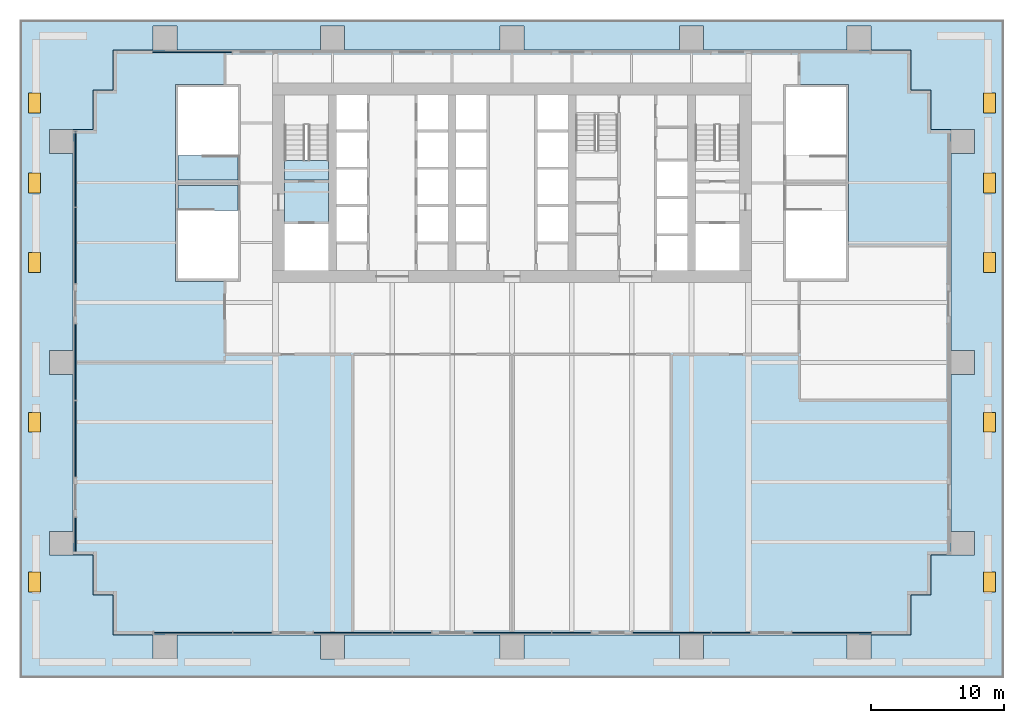
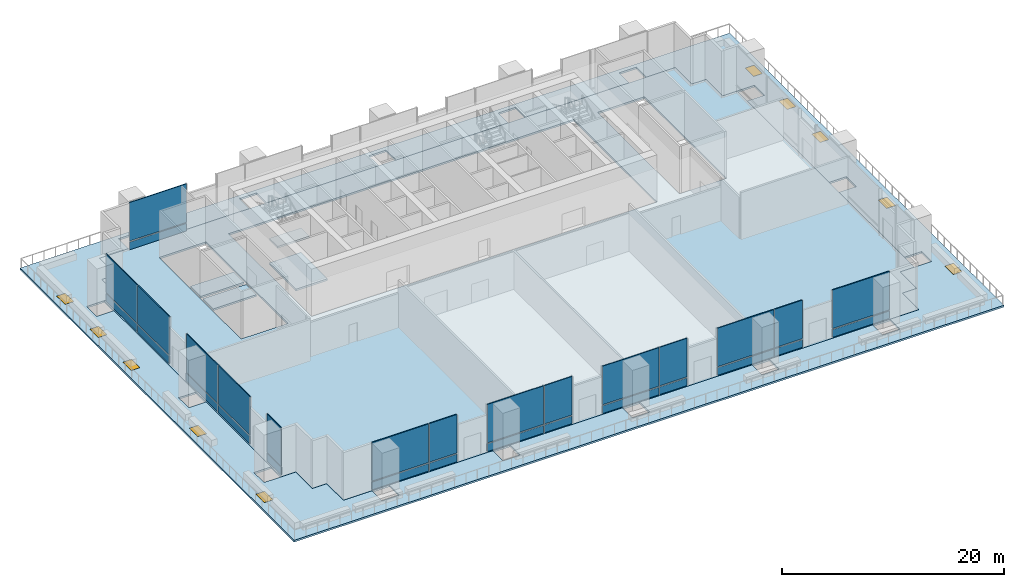
# One storey, part 6 of 16: 30 plates, 10 windows, 6 slabs, 10 openings, 10 elements without a shape of their own.
"""IFC4 building model written with IfcOpenShell, lengths in metres."""

from ifc_helpers import new_model, si_unit, direction, frame, origin, origin_2d, place, context, subcontext, project, spatial, polyline, rectangle, outline, extrude, material, layer, layer_set, type_object, element, fill, aggregate, save


model = new_model("IFC4")

# Units and contexts
model_context = context("Model", 3, precision=1e-05, world=origin(), true_north=direction((0.0, 1.0)))
body_context = subcontext(model_context, "Body", "Model", "MODEL_VIEW")
ifc_project = project(units=[si_unit("LENGTHUNIT", "METRE"), si_unit("AREAUNIT", "SQUARE_METRE"), si_unit("VOLUMEUNIT", "CUBIC_METRE"), si_unit("PLANEANGLEUNIT", "RADIAN"), si_unit("MASSUNIT", "GRAM", prefix="KILO")], contexts=[model_context])

# Site, building, storey
site_placement = place(None, origin())
site = spatial("IfcSite", under=ifc_project, at=site_placement, CompositionType="ELEMENT")
building_placement = place(site_placement, origin())
building = spatial("IfcBuilding", under=site, at=building_placement, Name="Rattan Terrace Tower", CompositionType="ELEMENT")
storey_placement = place(building_placement, frame((0.0, 0.0, 27.0)))
storey = spatial("IfcBuildingStorey", under=building, at=storey_placement, Name="L05", CompositionType="ELEMENT", Elevation=27.0)

# Stair, slab
ifc_material_1 = material(Name="Concrete C40/50", Category="concrete")
stair_type = type_object("IfcStairType", Name="Core exit stair 1500", PredefinedType="HALF_TURN_STAIR", material=ifc_material_1)
stair_placement = place(storey_placement, origin())
stair = element("IfcStair", 1, at=stair_placement, inside=storey, type_object=stair_type, Name="L05 exit stair 1", PredefinedType="HALF_TURN_STAIR")
ifc_material_2 = material(Name="Concrete C40/50", Category="concrete")
ifc_layer_1 = layer(ifc_material_2, 0.199951171875)
ifc_layer_set_1 = layer_set([ifc_layer_1], Name="Core exit stair landing")
slab_type_1 = type_object("IfcSlabType", Name="Core exit stair landing", PredefinedType="LANDING", material=ifc_layer_set_1)
slab_1_placement = place(storey_placement, frame((0.0, 0.0, 2.5)))
slab_1 = element("IfcSlab", 2, at=slab_1_placement, type_object=slab_type_1, Name="S1 landing 2", PredefinedType="LANDING", context=body_context, shape_type="SweptSolid", body=[
    extrude(outline(polyline([(-13.800048828125, 0.199951171875), (-13.800048828125, 1.699951171875), (-17.10009765625, 1.699951171875), (-17.10009765625, 0.199951171875), (-13.800048828125, 0.199951171875)])), origin(), (0.0, 0.0, 1.0), 0.199951171875),
])
aggregate(stair, [slab_1])

# Slabs
ifc_material_3 = material(Name="Concrete C35/45", Category="concrete")
ifc_layer_2 = layer(ifc_material_3, 0.199951171875)
ifc_layer_set_2 = layer_set([ifc_layer_2], Name="Frame composite floor slab 200")
slab_type_2 = type_object("IfcSlabType", Name="Frame composite floor slab 200", PredefinedType="FLOOR", material=ifc_layer_set_2)
slab_2_placement = place(storey_placement, frame((0.0, 0.0, -0.199951171875)))
element("IfcSlab", 3, at=slab_2_placement, inside=storey, type_object=slab_type_2, Name="Floor slab", PredefinedType="FLOOR", context=body_context, shape_type="SweptSolid", body=[
    extrude(outline(polyline([(-27.0, -34.0), (27.0, -34.0), (30.0, -34.0), (30.0, -31.0), (31.5, -31.0), (31.5, -28.0), (33.0, -28.0), (33.0, 4.0), (31.5, 4.0), (31.5, 7.0), (30.0, 7.0), (30.0, 10.0), (27.0, 10.0), (-27.0, 10.0), (-30.0, 10.0), (-30.0, 7.0), (-31.5, 7.0), (-31.5, 4.0), (-33.0, 4.0), (-33.0, -28.0), (-31.5, -28.0), (-31.5, -31.0), (-30.0, -31.0), (-30.0, -34.0), (-27.0, -34.0)]), holes=[polyline([(-25.10009765625, -7.39990234375), (-25.10009765625, -7.39990234375), (-20.60009765625, -7.39990234375), (-20.60009765625, -7.39990234375), (-20.39990234375, -7.39990234375), (-20.39990234375, 0.0), (-20.39990234375, 7.39990234375), (-20.60009765625, 7.39990234375), (-20.60009765625, 7.39990234375), (-25.10009765625, 7.39990234375), (-25.10009765625, 7.39990234375), (-25.300048828125, 7.39990234375), (-25.300048828125, 0.0), (-25.300048828125, -7.39990234375), (-25.10009765625, -7.39990234375)]), polyline([(18.0, -6.60009765625), (18.0, 6.60009765625), (18.0, 7.5), (-18.0, 7.5), (-18.0, 6.60009765625), (-18.0, -6.60009765625), (-18.0, -7.5), (18.0, -7.5), (18.0, -6.60009765625)]), polyline([(25.10009765625, -7.39990234375), (25.10009765625, -7.39990234375), (25.300048828125, -7.39990234375), (25.300048828125, 0.0), (25.300048828125, 7.39990234375), (25.10009765625, 7.39990234375), (25.10009765625, 7.39990234375), (20.60009765625, 7.39990234375), (20.60009765625, 7.39990234375), (20.39990234375, 7.39990234375), (20.39990234375, 0.0), (20.39990234375, -7.39990234375), (20.60009765625, -7.39990234375), (20.60009765625, -7.39990234375), (25.10009765625, -7.39990234375)])]), origin(), (0.0, 0.0, 1.0), 0.199951171875),
])
slab_3_placement = place(storey_placement, frame((0.0, 0.0, -0.199951171875)))
element("IfcSlab", 4, at=slab_3_placement, inside=storey, type_object=slab_type_2, Name="Floor slab", PredefinedType="FLOOR", context=body_context, shape_type="SweptSolid", body=[
    extrude(outline(polyline([(-25.10009765625, 0.199951171875), (-20.60009765625, 0.199951171875), (-20.60009765625, 2.06005859375), (-25.10009765625, 2.06005859375), (-25.10009765625, 0.199951171875)])), origin(), (0.0, 0.0, 1.0), 0.199951171875),
])
slab_4_placement = place(storey_placement, frame((0.0, 0.0, -0.199951171875)))
element("IfcSlab", 5, at=slab_4_placement, inside=storey, type_object=slab_type_2, Name="Floor slab", PredefinedType="FLOOR", context=body_context, shape_type="SweptSolid", body=[
    extrude(outline(polyline([(-20.60009765625, -2.06005859375), (-20.60009765625, -0.199951171875), (-25.10009765625, -0.199951171875), (-25.10009765625, -2.06005859375), (-20.60009765625, -2.06005859375)])), origin(), (0.0, 0.0, 1.0), 0.199951171875),
])
slab_5_placement = place(storey_placement, frame((0.0, 0.0, -0.199951171875)))
element("IfcSlab", 6, at=slab_5_placement, inside=storey, type_object=slab_type_2, Name="Floor slab", PredefinedType="FLOOR", context=body_context, shape_type="SweptSolid", body=[
    extrude(outline(polyline([(-17.10009765625, -3.10009765625), (-13.800048828125, -3.10009765625), (-13.800048828125, 1.7099609375), (-17.10009765625, 1.7099609375), (-17.10009765625, -3.10009765625)])), origin(), (0.0, 0.0, 1.0), 0.199951171875),
])

# Slab, openings, windows
ifc_material_4 = material(Name="Concrete C35/45", Category="concrete")
ifc_layer_3 = layer(ifc_material_4, 0.199951171875)
ifc_layer_set_3 = layer_set([ifc_layer_3], Name="Frame terrace slab 200")
slab_type_3 = type_object("IfcSlabType", Name="Frame terrace slab 200", PredefinedType="ROOF", material=ifc_layer_set_3)
slab_6_placement = place(storey_placement, frame((0.0, 0.0, -0.199951171875)))
slab_6 = element("IfcSlab", 7, at=slab_6_placement, inside=storey, type_object=slab_type_3, Name="Terrace slab", PredefinedType="ROOF", context=body_context, shape_type="SweptSolid", body=[
    extrude(outline(polyline([(-37.0, 12.25), (-37.0, -37.25), (37.0, -37.25), (37.0, 12.25), (-37.0, 12.25)]), holes=[polyline([(30.0, -34.0), (30.0, -31.0), (31.5, -31.0), (31.5, -28.0), (33.0, -28.0), (34.800048828125, -28.0), (34.800048828125, -26.199951171875), (33.0, -26.199951171875), (33.0, -14.39990234375), (34.800048828125, -14.39990234375), (34.800048828125, -12.60009765625), (33.0, -12.60009765625), (33.0, 2.199951171875), (34.800048828125, 2.199951171875), (34.800048828125, 4.0), (33.0, 4.0), (31.5, 4.0), (31.5, 7.0), (30.0, 7.0), (30.0, 10.0), (27.0, 10.0), (27.0, 11.800048828125), (25.199951171875, 11.800048828125), (25.199951171875, 10.0), (14.39990234375, 10.0), (14.39990234375, 11.800048828125), (12.60009765625, 11.800048828125), (12.60009765625, 10.0), (0.89990234375, 10.0), (0.89990234375, 11.800048828125), (-0.89990234375, 11.800048828125), (-0.89990234375, 10.0), (-12.60009765625, 10.0), (-12.60009765625, 11.800048828125), (-14.39990234375, 11.800048828125), (-14.39990234375, 10.0), (-25.199951171875, 10.0), (-25.199951171875, 11.800048828125), (-27.0, 11.800048828125), (-27.0, 10.0), (-30.0, 10.0), (-30.0, 7.0), (-31.5, 7.0), (-31.5, 4.0), (-33.0, 4.0), (-34.800048828125, 4.0), (-34.800048828125, 2.199951171875), (-33.0, 2.199951171875), (-33.0, -12.60009765625), (-34.800048828125, -12.60009765625), (-34.800048828125, -14.39990234375), (-33.0, -14.39990234375), (-33.0, -26.199951171875), (-34.800048828125, -26.199951171875), (-34.800048828125, -28.0), (-33.0, -28.0), (-31.5, -28.0), (-31.5, -31.0), (-30.0, -31.0), (-30.0, -34.0), (-27.0, -34.0), (-27.0, -35.800048828125), (-25.199951171875, -35.800048828125), (-25.199951171875, -34.0), (-14.39990234375, -34.0), (-14.39990234375, -35.800048828125), (-12.60009765625, -35.800048828125), (-12.60009765625, -34.0), (-0.89990234375, -34.0), (-0.89990234375, -35.800048828125), (0.89990234375, -35.800048828125), (0.89990234375, -34.0), (12.60009765625, -34.0), (12.60009765625, -35.800048828125), (14.39990234375, -35.800048828125), (14.39990234375, -34.0), (25.199951171875, -34.0), (25.199951171875, -35.800048828125), (27.0, -35.800048828125), (27.0, -34.0), (30.0, -34.0)])]), origin(), (0.0, 0.0, 1.0), 0.199951171875),
])
opening_1_placement = place(slab_6_placement, frame((-35.89990234375, -30.0, 0.0)))
opening_1 = element("IfcOpeningElement", 8, at=opening_1_placement, cuts=slab_6, Name="Opening SK1", PredefinedType="OPENING", context=body_context, shape_type="SweptSolid", body=[
    extrude(rectangle(XDim=0.89990234375, YDim=1.5, at=origin_2d()), origin(), (0.0, 0.0, 1.0), 0.199951171875),
])
opening_2_placement = place(slab_6_placement, frame((-35.89990234375, -18.0, 0.0)))
opening_2 = element("IfcOpeningElement", 9, at=opening_2_placement, cuts=slab_6, Name="Opening SK1", PredefinedType="OPENING", context=body_context, shape_type="SweptSolid", body=[
    extrude(rectangle(XDim=0.89990234375, YDim=1.5, at=origin_2d()), origin(), (0.0, 0.0, 1.0), 0.199951171875),
])
opening_3_placement = place(slab_6_placement, frame((-35.89990234375, -6.0, 0.0)))
opening_3 = element("IfcOpeningElement", 10, at=opening_3_placement, cuts=slab_6, Name="Opening SK1", PredefinedType="OPENING", context=body_context, shape_type="SweptSolid", body=[
    extrude(rectangle(XDim=0.89990234375, YDim=1.5, at=origin_2d()), origin(), (0.0, 0.0, 1.0), 0.199951171875),
])
opening_4_placement = place(slab_6_placement, frame((-35.89990234375, 0.0, 0.0)))
opening_4 = element("IfcOpeningElement", 11, at=opening_4_placement, cuts=slab_6, Name="Opening SK1", PredefinedType="OPENING", context=body_context, shape_type="SweptSolid", body=[
    extrude(rectangle(XDim=0.89990234375, YDim=1.5, at=origin_2d()), origin(), (0.0, 0.0, 1.0), 0.199951171875),
])
opening_5_placement = place(slab_6_placement, frame((-35.89990234375, 6.0, 0.0)))
opening_5 = element("IfcOpeningElement", 12, at=opening_5_placement, cuts=slab_6, Name="Opening SK1", PredefinedType="OPENING", context=body_context, shape_type="SweptSolid", body=[
    extrude(rectangle(XDim=0.89990234375, YDim=1.5, at=origin_2d()), origin(), (0.0, 0.0, 1.0), 0.199951171875),
])
opening_6_placement = place(slab_6_placement, frame((35.89990234375, -30.0, 0.0)))
opening_6 = element("IfcOpeningElement", 13, at=opening_6_placement, cuts=slab_6, Name="Opening SK1", PredefinedType="OPENING", context=body_context, shape_type="SweptSolid", body=[
    extrude(rectangle(XDim=0.89990234375, YDim=1.5, at=origin_2d()), origin(), (0.0, 0.0, 1.0), 0.199951171875),
])
opening_7_placement = place(slab_6_placement, frame((35.89990234375, -18.0, 0.0)))
opening_7 = element("IfcOpeningElement", 14, at=opening_7_placement, cuts=slab_6, Name="Opening SK1", PredefinedType="OPENING", context=body_context, shape_type="SweptSolid", body=[
    extrude(rectangle(XDim=0.89990234375, YDim=1.5, at=origin_2d()), origin(), (0.0, 0.0, 1.0), 0.199951171875),
])
opening_8_placement = place(slab_6_placement, frame((35.89990234375, -6.0, 0.0)))
opening_8 = element("IfcOpeningElement", 15, at=opening_8_placement, cuts=slab_6, Name="Opening SK1", PredefinedType="OPENING", context=body_context, shape_type="SweptSolid", body=[
    extrude(rectangle(XDim=0.89990234375, YDim=1.5, at=origin_2d()), origin(), (0.0, 0.0, 1.0), 0.199951171875),
])
opening_9_placement = place(slab_6_placement, frame((35.89990234375, 0.0, 0.0)))
opening_9 = element("IfcOpeningElement", 16, at=opening_9_placement, cuts=slab_6, Name="Opening SK1", PredefinedType="OPENING", context=body_context, shape_type="SweptSolid", body=[
    extrude(rectangle(XDim=0.89990234375, YDim=1.5, at=origin_2d()), origin(), (0.0, 0.0, 1.0), 0.199951171875),
])
opening_10_placement = place(slab_6_placement, frame((35.89990234375, 6.0, 0.0)))
opening_10 = element("IfcOpeningElement", 17, at=opening_10_placement, cuts=slab_6, Name="Opening SK1", PredefinedType="OPENING", context=body_context, shape_type="SweptSolid", body=[
    extrude(rectangle(XDim=0.89990234375, YDim=1.5, at=origin_2d()), origin(), (0.0, 0.0, 1.0), 0.199951171875),
])
ifc_material_5 = material(Name="Laminated structural glass, walk-on, with steel frame", Category="steel")
window_type = type_object("IfcWindowType", Name="Podium Walk-on Rooflight 900x1500", PartitioningType="SINGLE_PANEL", PredefinedType="SKYLIGHT", material=ifc_material_5)
window_1_placement = place(opening_1_placement, frame((0.0, 0.0, 0.14990234375)))
window_1 = element("IfcWindow", 18, at=window_1_placement, inside=storey, type_object=window_type, Name="Podium rooflight 1", OverallHeight=1.5, OverallWidth=0.89990234375, PartitioningType="SINGLE_PANEL", PredefinedType="SKYLIGHT", context=body_context, shape_type="SweptSolid", body=[
    extrude(rectangle(XDim=0.89990234375, YDim=1.5, at=origin_2d()), origin(), (0.0, 0.0, 1.0), 0.050048828125),
])
fill(opening_1, window_1)
window_2_placement = place(opening_2_placement, frame((0.0, 0.0, 0.14990234375)))
window_2 = element("IfcWindow", 19, at=window_2_placement, inside=storey, type_object=window_type, Name="Podium rooflight 2", OverallHeight=1.5, OverallWidth=0.89990234375, PartitioningType="SINGLE_PANEL", PredefinedType="SKYLIGHT", context=body_context, shape_type="SweptSolid", body=[
    extrude(rectangle(XDim=0.89990234375, YDim=1.5, at=origin_2d()), origin(), (0.0, 0.0, 1.0), 0.050048828125),
])
fill(opening_2, window_2)
window_3_placement = place(opening_3_placement, frame((0.0, 0.0, 0.14990234375)))
window_3 = element("IfcWindow", 20, at=window_3_placement, inside=storey, type_object=window_type, Name="Podium rooflight 3", OverallHeight=1.5, OverallWidth=0.89990234375, PartitioningType="SINGLE_PANEL", PredefinedType="SKYLIGHT", context=body_context, shape_type="SweptSolid", body=[
    extrude(rectangle(XDim=0.89990234375, YDim=1.5, at=origin_2d()), origin(), (0.0, 0.0, 1.0), 0.050048828125),
])
fill(opening_3, window_3)
window_4_placement = place(opening_4_placement, frame((0.0, 0.0, 0.14990234375)))
window_4 = element("IfcWindow", 21, at=window_4_placement, inside=storey, type_object=window_type, Name="Podium rooflight 4", OverallHeight=1.5, OverallWidth=0.89990234375, PartitioningType="SINGLE_PANEL", PredefinedType="SKYLIGHT", context=body_context, shape_type="SweptSolid", body=[
    extrude(rectangle(XDim=0.89990234375, YDim=1.5, at=origin_2d()), origin(), (0.0, 0.0, 1.0), 0.050048828125),
])
fill(opening_4, window_4)
window_5_placement = place(opening_5_placement, frame((0.0, 0.0, 0.14990234375)))
window_5 = element("IfcWindow", 22, at=window_5_placement, inside=storey, type_object=window_type, Name="Podium rooflight 5", OverallHeight=1.5, OverallWidth=0.89990234375, PartitioningType="SINGLE_PANEL", PredefinedType="SKYLIGHT", context=body_context, shape_type="SweptSolid", body=[
    extrude(rectangle(XDim=0.89990234375, YDim=1.5, at=origin_2d()), origin(), (0.0, 0.0, 1.0), 0.050048828125),
])
fill(opening_5, window_5)
window_6_placement = place(opening_6_placement, frame((0.0, 0.0, 0.14990234375)))
window_6 = element("IfcWindow", 23, at=window_6_placement, inside=storey, type_object=window_type, Name="Podium rooflight 6", OverallHeight=1.5, OverallWidth=0.89990234375, PartitioningType="SINGLE_PANEL", PredefinedType="SKYLIGHT", context=body_context, shape_type="SweptSolid", body=[
    extrude(rectangle(XDim=0.89990234375, YDim=1.5, at=origin_2d()), origin(), (0.0, 0.0, 1.0), 0.050048828125),
])
fill(opening_6, window_6)
window_7_placement = place(opening_7_placement, frame((0.0, 0.0, 0.14990234375)))
window_7 = element("IfcWindow", 24, at=window_7_placement, inside=storey, type_object=window_type, Name="Podium rooflight 7", OverallHeight=1.5, OverallWidth=0.89990234375, PartitioningType="SINGLE_PANEL", PredefinedType="SKYLIGHT", context=body_context, shape_type="SweptSolid", body=[
    extrude(rectangle(XDim=0.89990234375, YDim=1.5, at=origin_2d()), origin(), (0.0, 0.0, 1.0), 0.050048828125),
])
fill(opening_7, window_7)
window_8_placement = place(opening_8_placement, frame((0.0, 0.0, 0.14990234375)))
window_8 = element("IfcWindow", 25, at=window_8_placement, inside=storey, type_object=window_type, Name="Podium rooflight 8", OverallHeight=1.5, OverallWidth=0.89990234375, PartitioningType="SINGLE_PANEL", PredefinedType="SKYLIGHT", context=body_context, shape_type="SweptSolid", body=[
    extrude(rectangle(XDim=0.89990234375, YDim=1.5, at=origin_2d()), origin(), (0.0, 0.0, 1.0), 0.050048828125),
])
fill(opening_8, window_8)
window_9_placement = place(opening_9_placement, frame((0.0, 0.0, 0.14990234375)))
window_9 = element("IfcWindow", 26, at=window_9_placement, inside=storey, type_object=window_type, Name="Podium rooflight 9", OverallHeight=1.5, OverallWidth=0.89990234375, PartitioningType="SINGLE_PANEL", PredefinedType="SKYLIGHT", context=body_context, shape_type="SweptSolid", body=[
    extrude(rectangle(XDim=0.89990234375, YDim=1.5, at=origin_2d()), origin(), (0.0, 0.0, 1.0), 0.050048828125),
])
fill(opening_9, window_9)
window_10_placement = place(opening_10_placement, frame((0.0, 0.0, 0.14990234375)))
window_10 = element("IfcWindow", 27, at=window_10_placement, inside=storey, type_object=window_type, Name="Podium rooflight 10", OverallHeight=1.5, OverallWidth=0.89990234375, PartitioningType="SINGLE_PANEL", PredefinedType="SKYLIGHT", context=body_context, shape_type="SweptSolid", body=[
    extrude(rectangle(XDim=0.89990234375, YDim=1.5, at=origin_2d()), origin(), (0.0, 0.0, 1.0), 0.050048828125),
])
fill(opening_10, window_10)

# Curtain wall, plate
ifc_material_6 = material(Name="Steel fins, aluminium and glass", Category="steel")
ifc_layer_4 = layer(ifc_material_6, 0.300048828125)
ifc_layer_set_4 = layer_set([ifc_layer_4], Name="Sky Lobby Stick Curtain Wall")
curtain_wall_type = type_object("IfcCurtainWallType", Name="Sky Lobby Stick Curtain Wall", PredefinedType="NOTDEFINED", material=ifc_layer_set_4)
curtain_wall_1_placement = place(storey_placement, origin())
curtain_wall_1 = element("IfcCurtainWall", 28, at=curtain_wall_1_placement, inside=storey, type_object=curtain_wall_type, Name="Sky lobby curtain wall L05-8", PredefinedType="NOTDEFINED")
ifc_material_7 = material(Name="Insulated aluminium spandrel panel", Category="aluminium")
ifc_layer_5 = layer(ifc_material_7, 0.10009765625)
ifc_layer_set_5 = layer_set([ifc_layer_5], Name="Sky Lobby CW Insulated Panel")
plate_type_1 = type_object("IfcPlateType", Name="Sky Lobby CW Insulated Panel", PredefinedType="CURTAIN_PANEL", material=ifc_layer_set_5)
plate_1_placement = place(storey_placement, frame((-24.0400390625, 9.830078125, 0.0), z_axis=(0.0, 0.0, 1.0), x_axis=(-1.0, 0.0, 0.0)))
plate_1 = element("IfcPlate", 29, at=plate_1_placement, type_object=plate_type_1, Name="Panel cwl-L05-008.1.1", PredefinedType="CURTAIN_PANEL", context=body_context, shape_type="SweptSolid", body=[
    extrude(rectangle(XDim=5.919921875, YDim=0.10009765625, at=origin_2d()), origin(), (0.0, 0.0, 1.0), 0.840087890625),
])

# Curtain wall, plates
curtain_wall_2_placement = place(storey_placement, origin())
curtain_wall_2 = element("IfcCurtainWall", 30, at=curtain_wall_2_placement, inside=storey, type_object=curtain_wall_type, Name="Sky lobby curtain wall L05-9", PredefinedType="NOTDEFINED")
plate_2_placement = place(storey_placement, frame((-32.830078125, 1.048583984375, 0.0), z_axis=(0.0, 0.0, 1.0), x_axis=(0.0, -1.0, 0.0)))
plate_2 = element("IfcPlate", 31, at=plate_2_placement, type_object=plate_type_1, Name="Panel cwl-L05-009.1.1", PredefinedType="CURTAIN_PANEL", context=body_context, shape_type="SweptSolid", body=[
    extrude(rectangle(XDim=5.653076171875, YDim=0.10009765625, at=origin_2d()), origin(), (0.0, 0.0, 1.0), 0.840087890625),
])
plate_3_placement = place(storey_placement, frame((-32.830078125, -4.70703125, 0.0), z_axis=(0.0, 0.0, 1.0), x_axis=(0.0, -1.0, 0.0)))
plate_3 = element("IfcPlate", 32, at=plate_3_placement, type_object=plate_type_1, Name="Panel cwl-L05-009.2.1", PredefinedType="CURTAIN_PANEL", context=body_context, shape_type="SweptSolid", body=[
    extrude(rectangle(XDim=5.697998046875, YDim=0.10009765625, at=origin_2d()), origin(), (0.0, 0.0, 1.0), 0.840087890625),
])

curtain_wall_3_placement = place(storey_placement, origin())
curtain_wall_3 = element("IfcCurtainWall", 33, at=curtain_wall_3_placement, inside=storey, type_object=curtain_wall_type, Name="Sky lobby curtain wall L05-10", PredefinedType="NOTDEFINED")
plate_4_placement = place(storey_placement, frame((-32.830078125, -13.47412109375, 0.0), z_axis=(0.0, 0.0, 1.0), x_axis=(0.0, -1.0, 0.0)))
plate_4 = element("IfcPlate", 34, at=plate_4_placement, type_object=plate_type_1, Name="Panel cwl-L05-010.1.1", PredefinedType="CURTAIN_PANEL", context=body_context, shape_type="SweptSolid", body=[
    extrude(rectangle(XDim=5.697998046875, YDim=0.10009765625, at=origin_2d()), origin(), (0.0, 0.0, 1.0), 0.840087890625),
])
plate_5_placement = place(storey_placement, frame((-32.830078125, -19.251953125, 0.0), z_axis=(0.0, 0.0, 1.0), x_axis=(0.0, -1.0, 0.0)))
plate_5 = element("IfcPlate", 35, at=plate_5_placement, type_object=plate_type_1, Name="Panel cwl-L05-010.2.1", PredefinedType="CURTAIN_PANEL", context=body_context, shape_type="SweptSolid", body=[
    extrude(rectangle(XDim=5.697998046875, YDim=0.10009765625, at=origin_2d()), origin(), (0.0, 0.0, 1.0), 0.840087890625),
])

# Curtain wall, plate
curtain_wall_4_placement = place(storey_placement, origin())
curtain_wall_4 = element("IfcCurtainWall", 36, at=curtain_wall_4_placement, inside=storey, type_object=curtain_wall_type, Name="Sky lobby curtain wall L05-11", PredefinedType="NOTDEFINED")
plate_6_placement = place(storey_placement, frame((-32.830078125, -26.4375, 0.0), z_axis=(0.0, 0.0, 1.0), x_axis=(0.0, -1.0, 0.0)))
plate_6 = element("IfcPlate", 37, at=plate_6_placement, type_object=plate_type_1, Name="Panel cwl-L05-011.1.1", PredefinedType="CURTAIN_PANEL", context=body_context, shape_type="SweptSolid", body=[
    extrude(rectangle(XDim=2.534912109375, YDim=0.10009765625, at=origin_2d()), origin(), (0.0, 0.0, 1.0), 0.840087890625),
])

# Curtain wall, plates
curtain_wall_5_placement = place(storey_placement, origin())
curtain_wall_5 = element("IfcCurtainWall", 38, at=curtain_wall_5_placement, inside=storey, type_object=curtain_wall_type, Name="Sky lobby curtain wall L05-12", PredefinedType="NOTDEFINED")
plate_7_placement = place(storey_placement, frame((-23.97998046875, -33.830078125, 0.0), z_axis=(0.0, 0.0, 1.0), x_axis=(1.0, 0.0, 0.0)))
plate_7 = element("IfcPlate", 39, at=plate_7_placement, type_object=plate_type_1, Name="Panel cwl-L05-012.1.1", PredefinedType="CURTAIN_PANEL", context=body_context, shape_type="SweptSolid", body=[
    extrude(rectangle(XDim=5.8798828125, YDim=0.10009765625, at=origin_2d()), origin(), (0.0, 0.0, 1.0), 0.840087890625),
])
plate_8_placement = place(storey_placement, frame((-19.52001953125, -33.830078125, 0.0), z_axis=(0.0, 0.0, 1.0), x_axis=(1.0, 0.0, 0.0)))
plate_8 = element("IfcPlate", 40, at=plate_8_placement, type_object=plate_type_1, Name="Panel cwl-L05-012.2.1", PredefinedType="CURTAIN_PANEL", context=body_context, shape_type="SweptSolid", body=[
    extrude(rectangle(XDim=2.8798828125, YDim=0.10009765625, at=origin_2d()), origin(), (0.0, 0.0, 1.0), 0.840087890625),
])

curtain_wall_6_placement = place(storey_placement, origin())
curtain_wall_6 = element("IfcCurtainWall", 41, at=curtain_wall_6_placement, inside=storey, type_object=curtain_wall_type, Name="Sky lobby curtain wall L05-13", PredefinedType="NOTDEFINED")
plate_9_placement = place(storey_placement, frame((-11.97998046875, -33.830078125, 0.0), z_axis=(0.0, 0.0, 1.0), x_axis=(1.0, 0.0, 0.0)))
plate_9 = element("IfcPlate", 42, at=plate_9_placement, type_object=plate_type_1, Name="Panel cwl-L05-013.1.1", PredefinedType="CURTAIN_PANEL", context=body_context, shape_type="SweptSolid", body=[
    extrude(rectangle(XDim=5.8798828125, YDim=0.10009765625, at=origin_2d()), origin(), (0.0, 0.0, 1.0), 0.840087890625),
])
plate_10_placement = place(storey_placement, frame((-7.52001953125, -33.830078125, 0.0), z_axis=(0.0, 0.0, 1.0), x_axis=(1.0, 0.0, 0.0)))
plate_10 = element("IfcPlate", 43, at=plate_10_placement, type_object=plate_type_1, Name="Panel cwl-L05-013.2.1", PredefinedType="CURTAIN_PANEL", context=body_context, shape_type="SweptSolid", body=[
    extrude(rectangle(XDim=2.8798828125, YDim=0.10009765625, at=origin_2d()), origin(), (0.0, 0.0, 1.0), 0.840087890625),
])

curtain_wall_7_placement = place(storey_placement, origin())
curtain_wall_7 = element("IfcCurtainWall", 44, at=curtain_wall_7_placement, inside=storey, type_object=curtain_wall_type, Name="Sky lobby curtain wall L05-14", PredefinedType="NOTDEFINED")
plate_11_placement = place(storey_placement, frame((0.02001953125, -33.830078125, 0.0), z_axis=(0.0, 0.0, 1.0), x_axis=(1.0, 0.0, 0.0)))
plate_11 = element("IfcPlate", 45, at=plate_11_placement, type_object=plate_type_1, Name="Panel cwl-L05-014.1.1", PredefinedType="CURTAIN_PANEL", context=body_context, shape_type="SweptSolid", body=[
    extrude(rectangle(XDim=5.8798828125, YDim=0.10009765625, at=origin_2d()), origin(), (0.0, 0.0, 1.0), 0.840087890625),
])
plate_12_placement = place(storey_placement, frame((4.47998046875, -33.830078125, 0.0), z_axis=(0.0, 0.0, 1.0), x_axis=(1.0, 0.0, 0.0)))
plate_12 = element("IfcPlate", 46, at=plate_12_placement, type_object=plate_type_1, Name="Panel cwl-L05-014.2.1", PredefinedType="CURTAIN_PANEL", context=body_context, shape_type="SweptSolid", body=[
    extrude(rectangle(XDim=2.8798828125, YDim=0.10009765625, at=origin_2d()), origin(), (0.0, 0.0, 1.0), 0.840087890625),
])

curtain_wall_8_placement = place(storey_placement, origin())
curtain_wall_8 = element("IfcCurtainWall", 47, at=curtain_wall_8_placement, inside=storey, type_object=curtain_wall_type, Name="Sky lobby curtain wall L05-15", PredefinedType="NOTDEFINED")
plate_13_placement = place(storey_placement, frame((12.02001953125, -33.830078125, 0.0), z_axis=(0.0, 0.0, 1.0), x_axis=(1.0, 0.0, 0.0)))
plate_13 = element("IfcPlate", 48, at=plate_13_placement, type_object=plate_type_1, Name="Panel cwl-L05-015.1.1", PredefinedType="CURTAIN_PANEL", context=body_context, shape_type="SweptSolid", body=[
    extrude(rectangle(XDim=5.8798828125, YDim=0.10009765625, at=origin_2d()), origin(), (0.0, 0.0, 1.0), 0.840087890625),
])
plate_14_placement = place(storey_placement, frame((16.47998046875, -33.830078125, 0.0), z_axis=(0.0, 0.0, 1.0), x_axis=(1.0, 0.0, 0.0)))
plate_14 = element("IfcPlate", 49, at=plate_14_placement, type_object=plate_type_1, Name="Panel cwl-L05-015.2.1", PredefinedType="CURTAIN_PANEL", context=body_context, shape_type="SweptSolid", body=[
    extrude(rectangle(XDim=2.8798828125, YDim=0.10009765625, at=origin_2d()), origin(), (0.0, 0.0, 1.0), 0.840087890625),
])

# Curtain wall, plate
curtain_wall_9_placement = place(storey_placement, origin())
curtain_wall_9 = element("IfcCurtainWall", 50, at=curtain_wall_9_placement, inside=storey, type_object=curtain_wall_type, Name="Sky lobby curtain wall L05-16", PredefinedType="NOTDEFINED")
plate_15_placement = place(storey_placement, frame((24.0400390625, -33.830078125, 0.0), z_axis=(0.0, 0.0, 1.0), x_axis=(1.0, 0.0, 0.0)))
plate_15 = element("IfcPlate", 51, at=plate_15_placement, type_object=plate_type_1, Name="Panel cwl-L05-016.1.1", PredefinedType="CURTAIN_PANEL", context=body_context, shape_type="SweptSolid", body=[
    extrude(rectangle(XDim=5.919921875, YDim=0.10009765625, at=origin_2d()), origin(), (0.0, 0.0, 1.0), 0.840087890625),
])

# Plate
ifc_material_8 = material(Name="Laminated low-iron glass", Category="glass")
ifc_layer_6 = layer(ifc_material_8, 0.090087890625)
ifc_layer_set_6 = layer_set([ifc_layer_6], Name="Sky Lobby CW Vision Panel")
plate_type_2 = type_object("IfcPlateType", Name="Sky Lobby CW Vision Panel", PredefinedType="CURTAIN_PANEL", material=ifc_layer_set_6)
plate_16_placement = place(storey_placement, frame((-24.0400390625, 9.830078125, 0.9599609375), z_axis=(0.0, 0.0, 1.0), x_axis=(-1.0, 0.0, 0.0)))
plate_16 = element("IfcPlate", 52, at=plate_16_placement, type_object=plate_type_2, Name="Panel cwl-L05-008.1.2", PredefinedType="CURTAIN_PANEL", context=body_context, shape_type="SweptSolid", body=[
    extrude(rectangle(XDim=5.919921875, YDim=0.090087890625, at=origin_2d()), origin(), (0.0, 0.0, 1.0), 4.239990234375),
])

aggregate(curtain_wall_1, [plate_1, plate_16])

plate_17_placement = place(storey_placement, frame((-32.830078125, 1.048583984375, 0.9599609375), z_axis=(0.0, 0.0, 1.0), x_axis=(0.0, -1.0, 0.0)))
plate_17 = element("IfcPlate", 53, at=plate_17_placement, type_object=plate_type_2, Name="Panel cwl-L05-009.1.2", PredefinedType="CURTAIN_PANEL", context=body_context, shape_type="SweptSolid", body=[
    extrude(rectangle(XDim=5.653076171875, YDim=0.090087890625, at=origin_2d()), origin(), (0.0, 0.0, 1.0), 4.239990234375),
])

plate_18_placement = place(storey_placement, frame((-32.830078125, -4.70703125, 0.9599609375), z_axis=(0.0, 0.0, 1.0), x_axis=(0.0, -1.0, 0.0)))
plate_18 = element("IfcPlate", 54, at=plate_18_placement, type_object=plate_type_2, Name="Panel cwl-L05-009.2.2", PredefinedType="CURTAIN_PANEL", context=body_context, shape_type="SweptSolid", body=[
    extrude(rectangle(XDim=5.697998046875, YDim=0.090087890625, at=origin_2d()), origin(), (0.0, 0.0, 1.0), 4.239990234375),
])

aggregate(curtain_wall_2, [plate_2, plate_17, plate_3, plate_18])

plate_19_placement = place(storey_placement, frame((-32.830078125, -13.47412109375, 0.9599609375), z_axis=(0.0, 0.0, 1.0), x_axis=(0.0, -1.0, 0.0)))
plate_19 = element("IfcPlate", 55, at=plate_19_placement, type_object=plate_type_2, Name="Panel cwl-L05-010.1.2", PredefinedType="CURTAIN_PANEL", context=body_context, shape_type="SweptSolid", body=[
    extrude(rectangle(XDim=5.697998046875, YDim=0.090087890625, at=origin_2d()), origin(), (0.0, 0.0, 1.0), 4.239990234375),
])

plate_20_placement = place(storey_placement, frame((-32.830078125, -19.251953125, 0.9599609375), z_axis=(0.0, 0.0, 1.0), x_axis=(0.0, -1.0, 0.0)))
plate_20 = element("IfcPlate", 56, at=plate_20_placement, type_object=plate_type_2, Name="Panel cwl-L05-010.2.2", PredefinedType="CURTAIN_PANEL", context=body_context, shape_type="SweptSolid", body=[
    extrude(rectangle(XDim=5.697998046875, YDim=0.090087890625, at=origin_2d()), origin(), (0.0, 0.0, 1.0), 4.239990234375),
])

aggregate(curtain_wall_3, [plate_4, plate_19, plate_5, plate_20])

plate_21_placement = place(storey_placement, frame((-32.830078125, -26.4375, 0.9599609375), z_axis=(0.0, 0.0, 1.0), x_axis=(0.0, -1.0, 0.0)))
plate_21 = element("IfcPlate", 57, at=plate_21_placement, type_object=plate_type_2, Name="Panel cwl-L05-011.1.2", PredefinedType="CURTAIN_PANEL", context=body_context, shape_type="SweptSolid", body=[
    extrude(rectangle(XDim=2.534912109375, YDim=0.090087890625, at=origin_2d()), origin(), (0.0, 0.0, 1.0), 4.239990234375),
])

aggregate(curtain_wall_4, [plate_6, plate_21])

plate_22_placement = place(storey_placement, frame((-23.97998046875, -33.830078125, 0.9599609375), z_axis=(0.0, 0.0, 1.0), x_axis=(1.0, 0.0, 0.0)))
plate_22 = element("IfcPlate", 58, at=plate_22_placement, type_object=plate_type_2, Name="Panel cwl-L05-012.1.2", PredefinedType="CURTAIN_PANEL", context=body_context, shape_type="SweptSolid", body=[
    extrude(rectangle(XDim=5.8798828125, YDim=0.090087890625, at=origin_2d()), origin(), (0.0, 0.0, 1.0), 4.239990234375),
])

plate_23_placement = place(storey_placement, frame((-19.52001953125, -33.830078125, 0.9599609375), z_axis=(0.0, 0.0, 1.0), x_axis=(1.0, 0.0, 0.0)))
plate_23 = element("IfcPlate", 59, at=plate_23_placement, type_object=plate_type_2, Name="Panel cwl-L05-012.2.2", PredefinedType="CURTAIN_PANEL", context=body_context, shape_type="SweptSolid", body=[
    extrude(rectangle(XDim=2.8798828125, YDim=0.090087890625, at=origin_2d()), origin(), (0.0, 0.0, 1.0), 4.239990234375),
])

aggregate(curtain_wall_5, [plate_7, plate_22, plate_8, plate_23])

plate_24_placement = place(storey_placement, frame((-11.97998046875, -33.830078125, 0.9599609375), z_axis=(0.0, 0.0, 1.0), x_axis=(1.0, 0.0, 0.0)))
plate_24 = element("IfcPlate", 60, at=plate_24_placement, type_object=plate_type_2, Name="Panel cwl-L05-013.1.2", PredefinedType="CURTAIN_PANEL", context=body_context, shape_type="SweptSolid", body=[
    extrude(rectangle(XDim=5.8798828125, YDim=0.090087890625, at=origin_2d()), origin(), (0.0, 0.0, 1.0), 4.239990234375),
])

plate_25_placement = place(storey_placement, frame((-7.52001953125, -33.830078125, 0.9599609375), z_axis=(0.0, 0.0, 1.0), x_axis=(1.0, 0.0, 0.0)))
plate_25 = element("IfcPlate", 61, at=plate_25_placement, type_object=plate_type_2, Name="Panel cwl-L05-013.2.2", PredefinedType="CURTAIN_PANEL", context=body_context, shape_type="SweptSolid", body=[
    extrude(rectangle(XDim=2.8798828125, YDim=0.090087890625, at=origin_2d()), origin(), (0.0, 0.0, 1.0), 4.239990234375),
])

aggregate(curtain_wall_6, [plate_9, plate_24, plate_10, plate_25])

plate_26_placement = place(storey_placement, frame((0.02001953125, -33.830078125, 0.9599609375), z_axis=(0.0, 0.0, 1.0), x_axis=(1.0, 0.0, 0.0)))
plate_26 = element("IfcPlate", 62, at=plate_26_placement, type_object=plate_type_2, Name="Panel cwl-L05-014.1.2", PredefinedType="CURTAIN_PANEL", context=body_context, shape_type="SweptSolid", body=[
    extrude(rectangle(XDim=5.8798828125, YDim=0.090087890625, at=origin_2d()), origin(), (0.0, 0.0, 1.0), 4.239990234375),
])

plate_27_placement = place(storey_placement, frame((4.47998046875, -33.830078125, 0.9599609375), z_axis=(0.0, 0.0, 1.0), x_axis=(1.0, 0.0, 0.0)))
plate_27 = element("IfcPlate", 63, at=plate_27_placement, type_object=plate_type_2, Name="Panel cwl-L05-014.2.2", PredefinedType="CURTAIN_PANEL", context=body_context, shape_type="SweptSolid", body=[
    extrude(rectangle(XDim=2.8798828125, YDim=0.090087890625, at=origin_2d()), origin(), (0.0, 0.0, 1.0), 4.239990234375),
])

aggregate(curtain_wall_7, [plate_11, plate_26, plate_12, plate_27])

plate_28_placement = place(storey_placement, frame((12.02001953125, -33.830078125, 0.9599609375), z_axis=(0.0, 0.0, 1.0), x_axis=(1.0, 0.0, 0.0)))
plate_28 = element("IfcPlate", 64, at=plate_28_placement, type_object=plate_type_2, Name="Panel cwl-L05-015.1.2", PredefinedType="CURTAIN_PANEL", context=body_context, shape_type="SweptSolid", body=[
    extrude(rectangle(XDim=5.8798828125, YDim=0.090087890625, at=origin_2d()), origin(), (0.0, 0.0, 1.0), 4.239990234375),
])

plate_29_placement = place(storey_placement, frame((16.47998046875, -33.830078125, 0.9599609375), z_axis=(0.0, 0.0, 1.0), x_axis=(1.0, 0.0, 0.0)))
plate_29 = element("IfcPlate", 65, at=plate_29_placement, type_object=plate_type_2, Name="Panel cwl-L05-015.2.2", PredefinedType="CURTAIN_PANEL", context=body_context, shape_type="SweptSolid", body=[
    extrude(rectangle(XDim=2.8798828125, YDim=0.090087890625, at=origin_2d()), origin(), (0.0, 0.0, 1.0), 4.239990234375),
])

aggregate(curtain_wall_8, [plate_13, plate_28, plate_14, plate_29])

plate_30_placement = place(storey_placement, frame((24.0400390625, -33.830078125, 0.9599609375), z_axis=(0.0, 0.0, 1.0), x_axis=(1.0, 0.0, 0.0)))
plate_30 = element("IfcPlate", 66, at=plate_30_placement, type_object=plate_type_2, Name="Panel cwl-L05-016.1.2", PredefinedType="CURTAIN_PANEL", context=body_context, shape_type="SweptSolid", body=[
    extrude(rectangle(XDim=5.919921875, YDim=0.090087890625, at=origin_2d()), origin(), (0.0, 0.0, 1.0), 4.239990234375),
])

aggregate(curtain_wall_9, [plate_15, plate_30])

save(model, "model.ifc")
